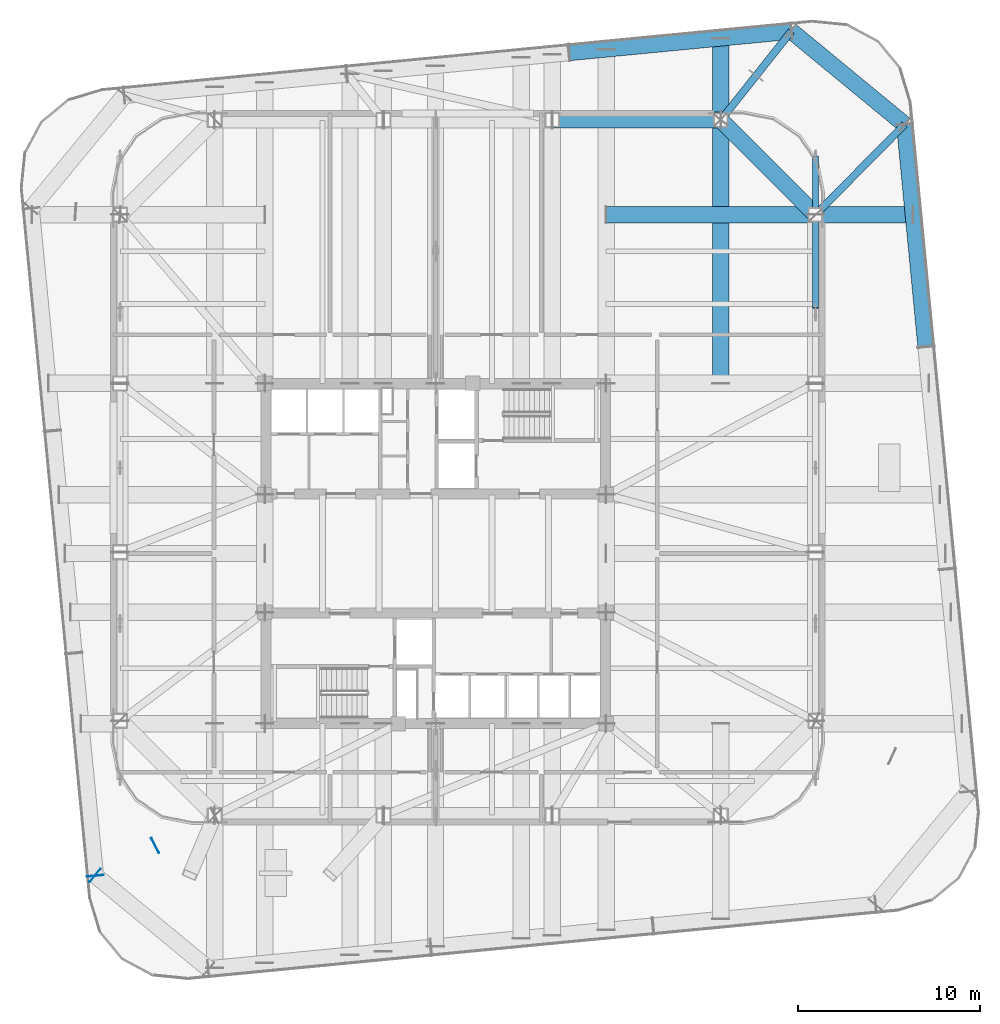
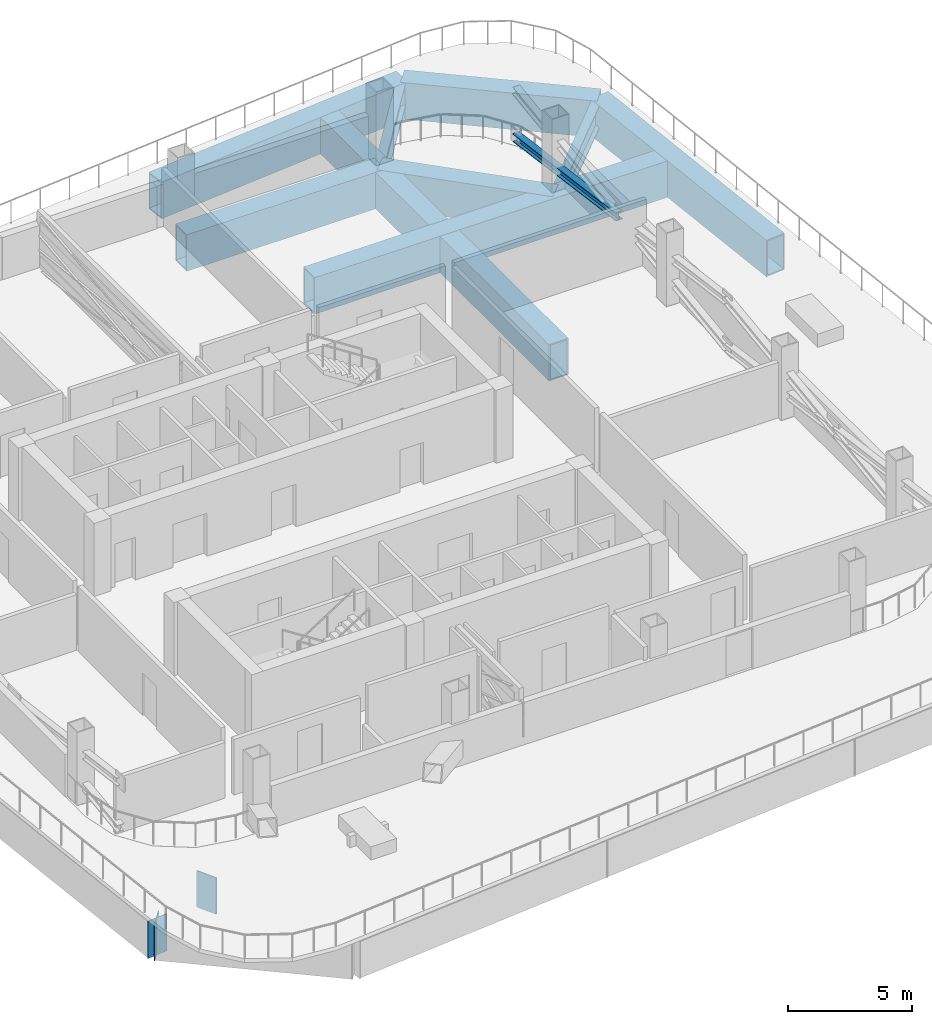
# One storey, part 3 of 15: 9 beams, 3 plates, 1 member.
"""IFC4 building model written with IfcOpenShell, lengths in metres."""

from ifc_helpers import new_model, si_unit, direction, frame, origin, origin_2d, place, context, subcontext, project, spatial, rectangle, hollow_rectangle, i_section, extrude, material, layer, layer_set, material_profile, profile_set, type_object, element, save


model = new_model("IFC4")

# Units and contexts
model_context = context("Model", 3, precision=1e-05, world=origin(), true_north=direction((0.0, 1.0)))
body_context = subcontext(model_context, "Body", "Model", "MODEL_VIEW")
ifc_project = project(units=[si_unit("LENGTHUNIT", "METRE"), si_unit("AREAUNIT", "SQUARE_METRE"), si_unit("VOLUMEUNIT", "CUBIC_METRE"), si_unit("PLANEANGLEUNIT", "RADIAN"), si_unit("MASSUNIT", "GRAM", prefix="KILO")], contexts=[model_context])

# Site, building, storey
site_placement = place(None, origin())
site = spatial("IfcSite", under=ifc_project, at=site_placement, CompositionType="ELEMENT")
building_placement = place(site_placement, origin())
building = spatial("IfcBuilding", under=site, at=building_placement, Name="Qhalaya Broadcast Tower", CompositionType="ELEMENT")
storey_placement = place(building_placement, frame((0.0, 0.0, 101.25)))
storey = spatial("IfcBuildingStorey", under=building, at=storey_placement, Name="L29", CompositionType="ELEMENT", Elevation=101.25)

# Member
ifc_material_1 = material(Name="Structural Steel ASTM A572 Grade 50", Category="steel")
ifc_material_profile_1 = material_profile(ifc_material_1, i_section(OverallWidth=0.31298828125, OverallDepth=0.3798828125, WebThickness=0.01806640625, FlangeThickness=0.028076171875, at=origin_2d()), Name="W12X120")
ifc_profile_set_1 = profile_set([ifc_material_profile_1], Name="Structural Steel ASTM A572 Grade 50")
member_type = type_object("IfcMemberType", Name="Belt-Truss Diagonal Brace OB2", PredefinedType="BRACE", material=ifc_profile_set_1)
member_placement = place(storey_placement, frame((20.8701171875, 14.077880859375, 1.580322265625), z_axis=(0.0, 0.990922519116, -0.134434225958), x_axis=(-1.0, 0.0, 0.0)))
element("IfcMember", 1, at=member_placement, inside=storey, type_object=member_type, Name="L29 Belt Truss Split Brace E2B2", PredefinedType="BRACE", context=body_context, shape_type="SweptSolid", body=[
    extrude(i_section(OverallWidth=0.31298828125, OverallDepth=0.3798828125, WebThickness=0.01806640625, FlangeThickness=0.028076171875, at=origin_2d()), origin(), (0.0, 0.0, 1.0), 8.408447265625),
])

# Beams
ifc_material_profile_2 = material_profile(ifc_material_1, hollow_rectangle(XDim=0.89990234375, YDim=1.800048828125, WallThickness=0.06005859375, at=origin_2d()), Name="BOX 900x1800x60")
ifc_profile_set_2 = profile_set([ifc_material_profile_2], Name="Structural Steel ASTM A572 Grade 50")
beam_type_1 = type_object("IfcBeamType", Name="Block Cantilever Transfer Box Girder TG1", PredefinedType="USERDEFINED", material=ifc_profile_set_2)
beam_1_placement = place(storey_placement, frame((20.8701171875, 19.2099609375, -1.179931640625), z_axis=(-0.707123380132, 0.707090181851, 0.0), x_axis=(-0.707090181851, -0.707123380132, 0.0)))
element("IfcBeam", 2, at=beam_1_placement, inside=storey, type_object=beam_type_1, Name="L29 TG1 L29-SPR-08", ObjectType="GIRDER", PredefinedType="USERDEFINED", context=body_context, shape_type="SweptSolid", body=[
    extrude(hollow_rectangle(XDim=0.89990234375, YDim=1.800048828125, WallThickness=0.06005859375, at=origin_2d()), origin(), (0.0, 0.0, 1.0), 7.35400390625),
])
beam_2_placement = place(storey_placement, frame((15.669921875, 24.409912109375, -1.179931640625), z_axis=(-1.0, 0.0, 0.0), x_axis=(0.0, -1.0, 0.0)))
element("IfcBeam", 3, at=beam_2_placement, inside=storey, type_object=beam_type_1, Name="L29 TG1 L29-SPR-09", ObjectType="GIRDER", PredefinedType="USERDEFINED", context=body_context, shape_type="SweptSolid", body=[
    extrude(hollow_rectangle(XDim=0.89990234375, YDim=1.800048828125, WallThickness=0.06005859375, at=origin_2d()), origin(), (0.0, 0.0, 1.0), 9.2666015625),
])
beam_3_placement = place(storey_placement, frame((26.941162109375, 11.955078125, -1.179931640625), z_axis=(-0.095851586307, 0.99539563662, 0.0), x_axis=(-0.99539563662, -0.095851586307, 0.0)))
element("IfcBeam", 4, at=beam_3_placement, inside=storey, type_object=beam_type_1, Name="L29 TG1 L29-TGL-07", ObjectType="GIRDER", PredefinedType="USERDEFINED", context=body_context, shape_type="SweptSolid", body=[
    extrude(hollow_rectangle(XDim=0.89990234375, YDim=1.800048828125, WallThickness=0.06005859375, at=origin_2d()), origin(), (0.0, 0.0, 1.0), 12.2666015625),
])
beam_4_placement = place(storey_placement, frame((25.765380859375, 24.165283203125, -1.179931640625), z_axis=(-0.771633771695, 0.636067073806, 0.0), x_axis=(-0.636067073806, -0.771633771695, 0.0)))
element("IfcBeam", 5, at=beam_4_placement, inside=storey, type_object=beam_type_1, Name="L29 TG1 L29-TGL-08", ObjectType="GIRDER", PredefinedType="USERDEFINED", context=body_context, shape_type="SweptSolid", body=[
    extrude(hollow_rectangle(XDim=0.89990234375, YDim=1.800048828125, WallThickness=0.06005859375, at=origin_2d()), origin(), (0.0, 0.0, 1.0), 8.060791015625),
])
beam_5_placement = place(storey_placement, frame((19.54541015625, 29.29248046875, -1.179931640625), z_axis=(-0.995397535354, -0.095831866369, 0.0), x_axis=(0.095831866369, -0.995397535354, 0.0)))
element("IfcBeam", 6, at=beam_5_placement, inside=storey, type_object=beam_type_1, Name="L29 TG1 L29-TGL-09", ObjectType="GIRDER", PredefinedType="USERDEFINED", context=body_context, shape_type="SweptSolid", body=[
    extrude(hollow_rectangle(XDim=0.89990234375, YDim=1.800048828125, WallThickness=0.06005859375, at=origin_2d()), origin(), (0.0, 0.0, 1.0), 12.2666015625),
])
beam_6_placement = place(storey_placement, frame((9.375, 19.2099609375, -1.179931640625), z_axis=(1.0, 0.0, 0.0), x_axis=(0.0, 1.0, 0.0)))
element("IfcBeam", 7, at=beam_6_placement, inside=storey, type_object=beam_type_1, Name="L29 Spanning Transfer Box Girder 08", ObjectType="GIRDER", PredefinedType="USERDEFINED", context=body_context, shape_type="SweptSolid", body=[
    extrude(hollow_rectangle(XDim=0.89990234375, YDim=1.800048828125, WallThickness=0.06005859375, at=origin_2d()), origin(), (0.0, 0.0, 1.0), 16.827392578125),
])
beam_7_placement = place(storey_placement, frame((15.669921875, 9.949951171875, -1.179931640625), z_axis=(0.0, 1.0, 0.0), x_axis=(-1.0, 0.0, 0.0)))
element("IfcBeam", 8, at=beam_7_placement, inside=storey, type_object=beam_type_1, Name="L29 Spanning Transfer Box Girder 09", ObjectType="GIRDER", PredefinedType="USERDEFINED", context=body_context, shape_type="SweptSolid", body=[
    extrude(hollow_rectangle(XDim=0.89990234375, YDim=1.800048828125, WallThickness=0.06005859375, at=origin_2d()), origin(), (0.0, 0.0, 1.0), 18.929443359375),
])
ifc_material_2 = material(Name="Structural Steel ASTM A992 Grade 50", Category="steel")
ifc_material_profile_3 = material_profile(ifc_material_2, i_section(OverallWidth=0.404052734375, OverallDepth=1.117919921875, WebThickness=0.026123046875, FlangeThickness=0.044921875, at=origin_2d()), Name="W44X335")
ifc_profile_set_3 = profile_set([ifc_material_profile_3], Name="Structural Steel ASTM A992 Grade 50")
beam_type_2 = type_object("IfcBeamType", Name="Podium Long-Span Primary Girder PG1", PredefinedType="USERDEFINED", material=ifc_profile_set_3)
beam_8_placement = place(storey_placement, frame((25.765380859375, 24.165283203125, -0.839111328125), z_axis=(-0.702782519813, -0.711404758099, 0.0), x_axis=(0.711404758099, -0.702782519813, 0.0)))
element("IfcBeam", 9, at=beam_8_placement, inside=storey, type_object=beam_type_2, Name="L29 Column-to-Column Moment Tie Girder 08-1", ObjectType="GIRDER", PredefinedType="USERDEFINED", context=body_context, shape_type="SweptSolid", body=[
    extrude(i_section(OverallWidth=0.404052734375, OverallDepth=1.117919921875, WebThickness=0.026123046875, FlangeThickness=0.044921875, at=origin_2d()), origin(), (0.0, 0.0, 1.0), 6.965576171875),
])
beam_9_placement = place(storey_placement, frame((19.54541015625, 29.29248046875, -0.839111328125), z_axis=(-0.621700577171, -0.783254998289, 0.0), x_axis=(0.783254998289, -0.621700577171, 0.0)))
element("IfcBeam", 10, at=beam_9_placement, inside=storey, type_object=beam_type_2, Name="L29 Column-to-Column Moment Tie Girder 09-1", ObjectType="GIRDER", PredefinedType="USERDEFINED", context=body_context, shape_type="SweptSolid", body=[
    extrude(i_section(OverallWidth=0.404052734375, OverallDepth=1.117919921875, WebThickness=0.026123046875, FlangeThickness=0.044921875, at=origin_2d()), origin(), (0.0, 0.0, 1.0), 6.233642578125),
])

# Plates
ifc_layer_1 = layer(ifc_material_1, 0.4599609375, Name="Structural Steel ASTM A572 Grade 50")
ifc_layer_set_1 = layer_set([ifc_layer_1], Name="Structural Steel ASTM A572 Grade 50")
plate_type_1 = type_object("IfcPlateType", Name="Hollow Box Member End Cap Plate CP-01", PredefinedType="USERDEFINED", material=ifc_layer_set_1)
for number, where, z_axis, x_axis, name in (
    (11, (-18.68408203125, -17.10107421875, -2.10009765625), (0.0, 0.0, 1.0), (0.995396198367, 0.09584575252, 0.0), "L29 Hollow Girder End Cap L29-TGL-15-B"),
    (12, (-18.69775390625, -17.074951171875, -2.10009765625), (0.0, 0.0, 1.0), (0.636078220278, 0.771624583388, 0.0), "L29 Hollow Girder End Cap L29-TGL-16-A"),
):
    element("IfcPlate", number, at=place(storey_placement, frame(where, z_axis=z_axis, x_axis=x_axis)), inside=storey, type_object=plate_type_1, Name=name, ObjectType="COVER_PLATE", PredefinedType="USERDEFINED", context=body_context, shape_type="SweptSolid", body=[
        extrude(rectangle(XDim=0.93994140625, YDim=0.031982421875, at=origin_2d()), origin(), (0.0, 0.0, 1.0), 1.840087890625),
    ])
ifc_layer_2 = layer(ifc_material_1, 0.044921875, Name="Structural Steel ASTM A572 Grade 50")
ifc_layer_set_2 = layer_set([ifc_layer_2], Name="Structural Steel ASTM A572 Grade 50")
plate_type_2 = type_object("IfcPlateType", Name="Transfer Girder Web Stiffener Plate WS-01", PredefinedType="USERDEFINED", material=ifc_layer_set_2)
plate_placement = place(storey_placement, frame((-15.40771484375, -15.4375, -2.080078125), z_axis=(0.0, 0.0, 1.0), x_axis=(-0.449116287514, 0.893473312578, 0.0)))
element("IfcPlate", 13, at=plate_placement, inside=storey, type_object=plate_type_2, Name="L29 Transfer Girder Stiffener 01", ObjectType="STIFFENER_PLATE", PredefinedType="USERDEFINED", context=body_context, shape_type="SweptSolid", body=[
    extrude(rectangle(XDim=0.93994140625, YDim=0.044921875, at=origin_2d()), origin(), (0.0, 0.0, 1.0), 1.800048828125),
])

save(model, "model.ifc")
